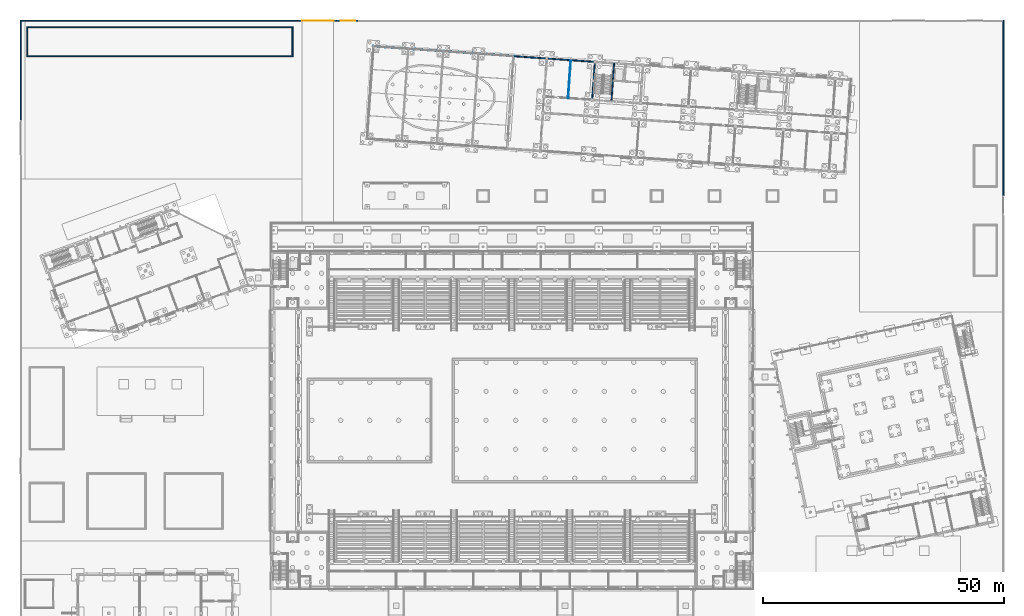
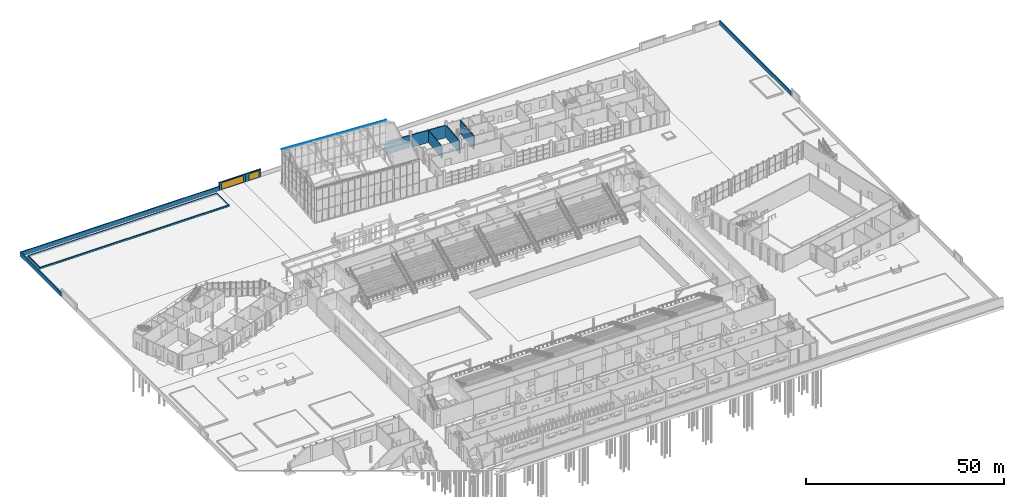
# One storey, part 108 of 157: 15 walls, 2 doors, 2 openings.
"""IFC4 building model written with IfcOpenShell, lengths in metres."""

from ifc_helpers import new_model, si_unit, direction, frame, frame_2d, origin, place, context, subcontext, project, spatial, rectangle, extrude, material, layer, layer_set, type_object, element, fill, save


model = new_model("IFC4")

# Units and contexts
model_context = context("Model", 3, precision=1e-05, world=origin(), true_north=direction((0.0, 1.0)))
body_context = subcontext(model_context, "Body", "Model", "MODEL_VIEW")
ifc_project = project(units=[si_unit("LENGTHUNIT", "METRE"), si_unit("AREAUNIT", "SQUARE_METRE"), si_unit("VOLUMEUNIT", "CUBIC_METRE"), si_unit("PLANEANGLEUNIT", "RADIAN"), si_unit("MASSUNIT", "GRAM", prefix="KILO")], contexts=[model_context])

# Site, building, storey
site_placement = place(None, origin())
site = spatial("IfcSite", under=ifc_project, at=site_placement, CompositionType="ELEMENT")
building_placement = place(site_placement, origin())
building = spatial("IfcBuilding", under=site, at=building_placement, Name="Windward Yard Aquatics Centre", CompositionType="ELEMENT")
storey_placement = place(building_placement, origin())
storey = spatial("IfcBuildingStorey", under=building, at=storey_placement, Name="L00", CompositionType="ELEMENT", Elevation=0.0)

# Walls
ifc_material_1 = material(Name="Concrete C40/50", Category="concrete")
ifc_layer_1 = layer(ifc_material_1, 0.25)
ifc_layer_set_1 = layer_set([ifc_layer_1], Name="W RC core wall 250 Concrete C40/50")
wall_type_1 = type_object("IfcWallType", Name="W RC core wall 250 Concrete C40/50", PredefinedType="SOLIDWALL", material=ifc_layer_set_1)
wall_1_placement = place(storey_placement, frame((102.468994140625, 136.4892578125, 0.0), z_axis=(0.0, 0.0, 1.0), x_axis=(0.997563842515, -0.069759444574, 0.0)))
element("IfcWall", 1, at=wall_1_placement, inside=storey, type_object=wall_type_1, Name="W.FW.L00.N.29.8", PredefinedType="SOLIDWALL", context=body_context, shape_type="SweptSolid", body=[
    extrude(rectangle(XDim=6.449951171875, YDim=0.25, at=frame_2d((3.22509765625, 0.0))), origin(), (0.0, 0.0, 1.0), 3.805908203125),
])
wall_2_placement = place(storey_placement, frame((118.627197265625, 127.43994140625, 0.0), z_axis=(0.0, 0.0, 1.0), x_axis=(0.0697491702, 0.997564560947, 0.0)))
element("IfcWall", 2, at=wall_2_placement, inside=storey, type_object=wall_type_1, Name="W.WL.L00.003", PredefinedType="SOLIDWALL", context=body_context, shape_type="SweptSolid", body=[
    extrude(rectangle(XDim=7.900146484375, YDim=0.25, at=frame_2d((3.9501953125, 0.0))), origin(), (0.0, 0.0, 1.0), 3.805908203125),
])
wall_3_placement = place(storey_placement, frame((122.617431640625, 127.160888671875, 0.0), z_axis=(0.0, 0.0, 1.0), x_axis=(0.0697491702, 0.997564560947, 0.0)))
element("IfcWall", 3, at=wall_3_placement, inside=storey, type_object=wall_type_1, Name="W.WL.L00.004", PredefinedType="SOLIDWALL", context=body_context, shape_type="SweptSolid", body=[
    extrude(rectangle(XDim=7.900146484375, YDim=0.25, at=frame_2d((3.9501953125, 0.0))), origin(), (0.0, 0.0, 1.0), 4.169921875),
])
ifc_material_2 = material(Name="Aluminium composite cladding on steel", Category="steel")
ifc_layer_2 = layer(ifc_material_2, 0.14990234375)
ifc_layer_set_2 = layer_set([ifc_layer_2], Name="W eaves fascia 150")
wall_type_2 = type_object("IfcWallType", Name="W eaves fascia 150", PredefinedType="SOLIDWALL", material=ifc_layer_set_2)
wall_4_placement = place(storey_placement, frame((73.1904296875, 138.53662109375, 10.39990234375), z_axis=(0.0, 0.0, 1.0), x_axis=(0.997563531133, -0.069763897209, 0.0)))
element("IfcWall", 4, at=wall_4_placement, inside=storey, type_object=wall_type_2, Name="W.FAS.N", PredefinedType="SOLIDWALL", context=body_context, shape_type="SweptSolid", body=[
    extrude(rectangle(XDim=29.199951171875, YDim=0.14990234375, at=frame_2d((14.60009765625, 0.0))), origin(), (0.0, 0.0, 1.0), 0.10009765625),
])
ifc_layer_3 = layer(ifc_material_1, 0.25)
ifc_layer_set_3 = layer_set([ifc_layer_3], Name="W facade wall 250 Precast Concrete C40/50")
wall_type_3 = type_object("IfcWallType", Name="W facade wall 250 Precast Concrete C40/50", PredefinedType="SOLIDWALL", material=ifc_layer_set_3)
wall_5_placement = place(storey_placement, frame((109.501708984375, 135.997314453125, 0.0), z_axis=(0.0, 0.0, 1.0), x_axis=(0.997565530081, -0.069735308086, 0.0)))
element("IfcWall", 5, at=wall_5_placement, inside=storey, type_object=wall_type_3, Name="W.FW.L00.N.36.8", PredefinedType="SOLIDWALL", context=body_context, shape_type="SweptSolid", body=[
    extrude(rectangle(XDim=9.400146484375, YDim=0.25, at=frame_2d((4.7001953125, 0.0))), origin(), (0.0, 0.0, 1.0), 3.805908203125),
])
ifc_material_3 = material(Name="Blockwork partition with tiled finish", Category="masonry")
ifc_layer_4 = layer(ifc_material_3, 0.14990234375)
ifc_layer_set_4 = layer_set([ifc_layer_4], Name="W partition 150 wet area")
wall_type_4 = type_object("IfcWallType", Name="W partition 150 wet area", PredefinedType="PARTITIONING", material=ifc_layer_set_4)
wall_6_placement = place(storey_placement, frame((113.639404296875, 127.788818359375, 0.0), z_axis=(0.0, 0.0, 1.0), x_axis=(0.069751320509, 0.997564410596, 0.0)))
element("IfcWall", 6, at=wall_6_placement, inside=storey, type_object=wall_type_4, Name="W.WL.L00.002", PredefinedType="PARTITIONING", context=body_context, shape_type="SweptSolid", body=[
    extrude(rectangle(XDim=7.89990234375, YDim=0.14990234375, at=frame_2d((3.949951171875, 0.0))), origin(), (0.0, 0.0, 1.0), 3.805908203125),
])
ifc_material_4 = material(Name="Concrete C30/37", Category="concrete")
ifc_layer_5 = layer(ifc_material_4, 0.300048828125)
ifc_layer_set_5 = layer_set([ifc_layer_5], Name="X Boundary Wall Concrete C30/37 300 x 1200")
wall_type_5 = type_object("IfcWallType", Name="X Boundary Wall Concrete C30/37 300 x 1200", PredefinedType="SOLIDWALL", material=ifc_layer_set_5)
wall_7_placement = place(storey_placement, frame((0.300048828125, 143.85009765625, -0.10009765625), z_axis=(0.0, 0.0, 1.0), x_axis=(1.0, 0.0, 0.0)))
element("IfcWall", 7, at=wall_7_placement, inside=storey, type_object=wall_type_5, Name="North street boundary wall", PredefinedType="SOLIDWALL", context=body_context, shape_type="SweptSolid", body=[
    extrude(rectangle(XDim=57.599853515625, YDim=0.300048828125, at=frame_2d((28.7998046875, 0.0))), origin(), (0.0, 0.0, 1.0), 1.300048828125),
])
wall_8_placement = place(storey_placement, frame((0.14990234375, 123.300048828125, -0.10009765625), z_axis=(0.0, 0.0, 1.0), x_axis=(0.0, 1.0, 0.0)))
element("IfcWall", 8, at=wall_8_placement, inside=storey, type_object=wall_type_5, Name="West road boundary wall", PredefinedType="SOLIDWALL", context=body_context, shape_type="SweptSolid", body=[
    extrude(rectangle(XDim=20.699951171875, YDim=0.300048828125, at=frame_2d((10.35009765625, 0.0))), origin(), (0.0, 0.0, 1.0), 1.300048828125),
])
wall_9_placement = place(storey_placement, frame((203.85009765625, 107.60009765625, -0.10009765625), z_axis=(0.0, 0.0, 1.0), x_axis=(0.0, 1.0, 0.0)))
element("IfcWall", 9, at=wall_9_placement, inside=storey, type_object=wall_type_5, Name="East boundary wall", PredefinedType="SOLIDWALL", context=body_context, shape_type="SweptSolid", body=[
    extrude(rectangle(XDim=36.39990234375, YDim=0.300048828125, at=frame_2d((18.199951171875, 0.0))), origin(), (0.0, 0.0, 1.0), 1.300048828125),
])

# Wall, opening, door
ifc_layer_6 = layer(ifc_material_4, 0.300048828125)
ifc_layer_set_6 = layer_set([ifc_layer_6], Name="X Gate Wall Concrete C30/37 300 x 2400")
wall_type_6 = type_object("IfcWallType", Name="X Gate Wall Concrete C30/37 300 x 2400", PredefinedType="SOLIDWALL", material=ifc_layer_set_6)
wall_10_placement = place(storey_placement, frame((57.89990234375, 143.85009765625, -0.10009765625), z_axis=(0.0, 0.0, 1.0), x_axis=(1.0, 0.0, 0.0)))
wall_10 = element("IfcWall", 10, at=wall_10_placement, inside=storey, type_object=wall_type_6, Name="Gate wall N2", PredefinedType="SOLIDWALL", context=body_context, shape_type="SweptSolid", body=[
    extrude(rectangle(XDim=7.7001953125, YDim=0.300048828125, at=frame_2d((3.85009765625, 0.0))), origin(), (0.0, 0.0, 1.0), 2.5),
])
opening_1_placement = place(wall_10_placement, frame((0.60009765625, 0.0, 0.10009765625)))
opening_1 = element("IfcOpeningElement", 11, at=opening_1_placement, cuts=wall_10, Name="Opening X0002", PredefinedType="OPENING", context=body_context, shape_type="SweptSolid", body=[
    extrude(rectangle(XDim=6.5, YDim=2.10009765625, at=frame_2d((3.25, 1.050048828125))), frame((0.0, 0.16015625, 0.0), z_axis=(0.0, -1.0, 0.0), x_axis=(1.0, 0.0, 0.0)), (0.0, 0.0, 1.0), 0.320068359375),
])
ifc_material_5 = material(Name="Galvanised steel gate leaf", Category="steel")
door_type_1 = type_object("IfcDoorType", Name="X Vehicle Gate Sliding 6500 x 2100", OperationType="SLIDING_TO_LEFT", PredefinedType="DOOR", material=ifc_material_5)
door_1_placement = place(opening_1_placement, origin())
door_1 = element("IfcDoor", 12, at=door_1_placement, inside=storey, type_object=door_type_1, Name="Vehicle gate A", OperationType="SLIDING_TO_LEFT", OverallHeight=2.10009765625, OverallWidth=6.5, PredefinedType="DOOR", context=body_context, shape_type="SweptSolid", body=[
    extrude(rectangle(XDim=6.5, YDim=2.10009765625, at=frame_2d((3.25, 1.050048828125))), frame((0.0, 0.02490234375, 0.0), z_axis=(0.0, -1.0, 0.0), x_axis=(1.0, 0.0, 0.0)), (0.0, 0.0, 1.0), 0.050048828125),
])
fill(opening_1, door_1)

wall_11_placement = place(storey_placement, frame((65.60009765625, 143.85009765625, -0.10009765625), z_axis=(0.0, 0.0, 1.0), x_axis=(1.0, 0.0, 0.0)))
wall_11 = element("IfcWall", 13, at=wall_11_placement, inside=storey, type_object=wall_type_6, Name="Gate wall N1", PredefinedType="SOLIDWALL", context=body_context, shape_type="SweptSolid", body=[
    extrude(rectangle(XDim=4.5, YDim=0.300048828125, at=frame_2d((2.25, 0.0))), origin(), (0.0, 0.0, 1.0), 2.5),
])
opening_2_placement = place(wall_11_placement, frame((0.89990234375, 0.0, 0.10009765625)))
opening_2 = element("IfcOpeningElement", 14, at=opening_2_placement, cuts=wall_11, Name="Opening X0003", PredefinedType="OPENING", context=body_context, shape_type="SweptSolid", body=[
    extrude(rectangle(XDim=3.0, YDim=2.10009765625, at=frame_2d((1.5, 1.050048828125))), frame((0.0, 0.16015625, 0.0), z_axis=(0.0, -1.0, 0.0), x_axis=(1.0, 0.0, 0.0)), (0.0, 0.0, 1.0), 0.320068359375),
])
door_type_2 = type_object("IfcDoorType", Name="X Pedestrian Gate Double 3000 x 2100", OperationType="DOUBLE_DOOR_DOUBLE_SWING", PredefinedType="DOOR", material=ifc_material_5)
door_2_placement = place(opening_2_placement, origin())
door_2 = element("IfcDoor", 15, at=door_2_placement, inside=storey, type_object=door_type_2, Name="Pedestrian entrance gate", OperationType="DOUBLE_DOOR_DOUBLE_SWING", OverallHeight=2.10009765625, OverallWidth=3.0, PredefinedType="DOOR", context=body_context, shape_type="SweptSolid", body=[
    extrude(rectangle(XDim=3.0, YDim=2.10009765625, at=frame_2d((1.5, 1.050048828125))), frame((0.0, 0.02490234375, 0.0), z_axis=(0.0, -1.0, 0.0), x_axis=(1.0, 0.0, 0.0)), (0.0, 0.0, 1.0), 0.050048828125),
])
fill(opening_2, door_2)

# Walls
ifc_material_6 = material(Name="Bituminous waterproofing membrane with root barrier")
ifc_layer_7 = layer(ifc_material_6, 0.005, Name="Waterproofing and root barrier")
ifc_layer_8 = layer(ifc_material_4, 0.245, Name="Structure")
ifc_layer_set_7 = layer_set([ifc_layer_7, ifc_layer_8], Name="X Planter Wall Concrete C30/37 250 x 550")
wall_type_7 = type_object("IfcWallType", Name="X Planter Wall Concrete C30/37 250 x 550", PredefinedType="USERDEFINED", material=ifc_layer_set_7)
for number, where, z_axis, x_axis, name in (
    (16, (1.375, 136.5, -0.10009765625), (0.0, 0.0, 1.0), (1.0, 0.0, 0.0), "Car park planting strip planter wall"),
    (17, (1.375, 142.5, -0.10009765625), (0.0, 0.0, 1.0), (1.0, 0.0, 0.0), "Car park planting strip planter wall"),
):
    element("IfcWall", number, at=place(storey_placement, frame(where, z_axis=z_axis, x_axis=x_axis)), inside=storey, type_object=wall_type_7, Name=name, ObjectType="PLANTER WALL", PredefinedType="USERDEFINED", context=body_context, shape_type="SweptSolid", body=[
        extrude(rectangle(XDim=55.25, YDim=0.25, at=frame_2d((27.625, 0.0))), origin(), (0.0, 0.0, 1.0), 0.550048828125),
    ])
for number, where, z_axis, x_axis, name in (
    (18, (1.5, 136.625, -0.10009765625), (0.0, 0.0, 1.0), (0.0, 1.0, 0.0), "Car park planting strip planter wall"),
    (19, (56.5, 136.625, -0.10009765625), (0.0, 0.0, 1.0), (0.0, 1.0, 0.0), "Car park planting strip planter wall"),
):
    element("IfcWall", number, at=place(storey_placement, frame(where, z_axis=z_axis, x_axis=x_axis)), inside=storey, type_object=wall_type_7, Name=name, ObjectType="PLANTER WALL", PredefinedType="USERDEFINED", context=body_context, shape_type="SweptSolid", body=[
        extrude(rectangle(XDim=5.75, YDim=0.25, at=frame_2d((2.875, 0.0))), origin(), (0.0, 0.0, 1.0), 0.550048828125),
    ])

save(model, "model.ifc")
